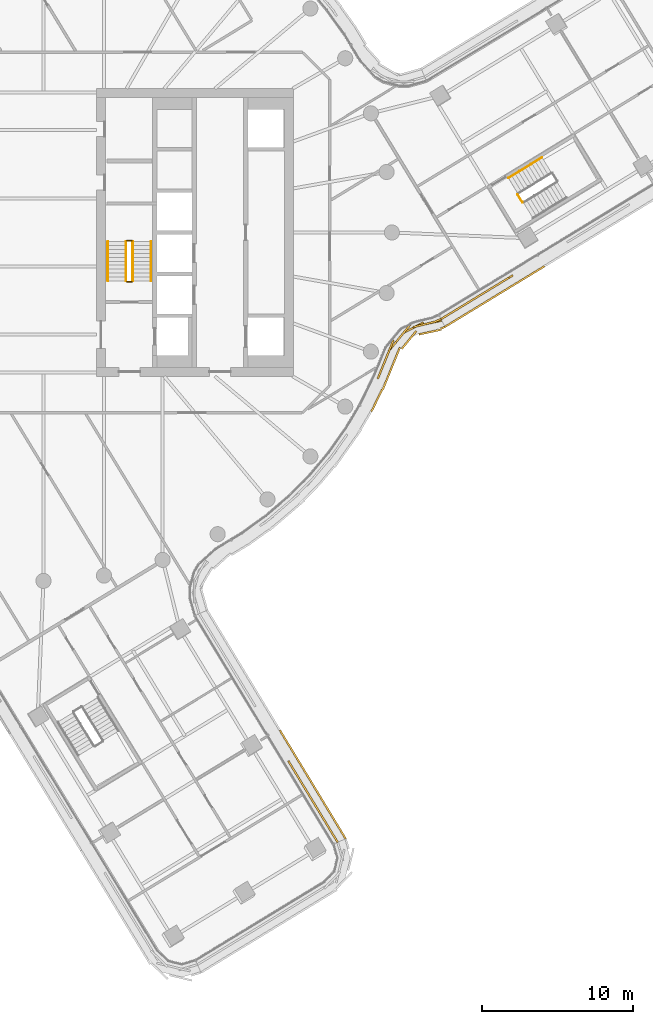
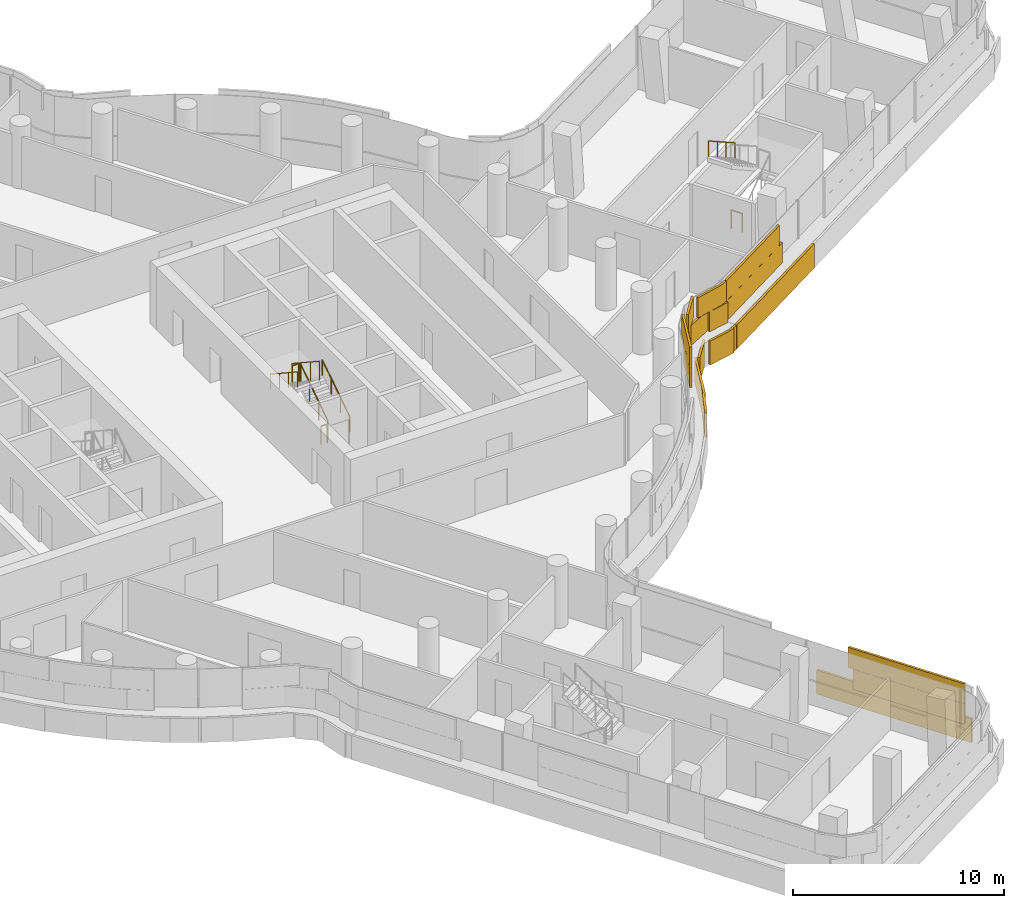
# One storey, part 31 of 35: 8 railings, 3 coverings.
"""IFC4 building model written with IfcOpenShell, lengths in metres."""

from ifc_helpers import new_model, si_unit, direction, frame, origin, origin_2d, place, context, subcontext, project, spatial, rectangle, circle, extrude, material, layer, layer_set, type_object, element, save


model = new_model("IFC4")

# Units and contexts
model_context = context("Model", 3, precision=1e-05, world=origin(), true_north=direction((0.0, 1.0)))
body_context = subcontext(model_context, "Body", "Model", "MODEL_VIEW")
ifc_project = project(units=[si_unit("LENGTHUNIT", "METRE"), si_unit("AREAUNIT", "SQUARE_METRE"), si_unit("VOLUMEUNIT", "CUBIC_METRE"), si_unit("PLANEANGLEUNIT", "RADIAN"), si_unit("MASSUNIT", "GRAM", prefix="KILO")], contexts=[model_context])

# Site, building, storey
site_placement = place(None, origin())
site = spatial("IfcSite", under=ifc_project, at=site_placement, CompositionType="ELEMENT")
building_placement = place(site_placement, origin())
building = spatial("IfcBuilding", under=site, at=building_placement, Name="Tamarind Cross Interchange Tower", CompositionType="ELEMENT")
storey_placement = place(building_placement, frame((0.0, 0.0, 148.0)))
storey = spatial("IfcBuildingStorey", under=building, at=storey_placement, Name="L36", CompositionType="ELEMENT", Elevation=148.0)

# Railings
ifc_material_1 = material(Name="Stair guard")
railing_type_1 = type_object("IfcRailingType", Name="Stair guard", PredefinedType="GUARDRAIL", material=ifc_material_1)
railing_1_placement = place(storey_placement, frame((5.89990234375, -3.199951171875, 0.17041015625)))
element("IfcRailing", 1, at=railing_1_placement, inside=storey, type_object=railing_type_1, Name="L36 ST2 stair guard 1", PredefinedType="GUARDRAIL", context=body_context, shape_type="SweptSolid", body=[
    extrude(circle(Radius=0.02392578125, at=origin_2d()), frame((0.0, 0.0, 1.076171875), z_axis=(0.0, 0.836278606002, 0.548304744775), x_axis=(-1.0, 0.0, 0.0)), (0.0, 0.0, 1.0), 3.10888671875),
    extrude(circle(Radius=0.02099609375, at=origin_2d()), origin(), (0.0, 0.0, 1.0), 1.052001953125),
    extrude(circle(Radius=0.02099609375, at=origin_2d()), frame((0.0, 0.86669921875, 0.568115234375)), (0.0, 0.0, 1.0), 1.052001953125),
    extrude(circle(Radius=0.02099609375, at=origin_2d()), frame((0.0, 1.733154296875, 1.136474609375)), (0.0, 0.0, 1.0), 1.052001953125),
    extrude(circle(Radius=0.02099609375, at=origin_2d()), frame((0.0, 2.599853515625, 1.70458984375)), (0.0, 0.0, 1.0), 1.052001953125),
])
railing_2_placement = place(storey_placement, frame((5.85009765625, -0.550048828125, 1.875)))
element("IfcRailing", 2, at=railing_2_placement, inside=storey, type_object=railing_type_1, Name="L36 ST2 stair guard 2", PredefinedType="GUARDRAIL", context=body_context, shape_type="SweptSolid", body=[
    extrude(circle(Radius=0.02392578125, at=origin_2d()), frame((0.0, 0.0, 1.076171875), z_axis=(-1.0, 0.0, 0.0), x_axis=(0.0, -1.0, 0.0)), (0.0, 0.0, 1.0), 0.35009765625),
    extrude(circle(Radius=0.02099609375, at=origin_2d()), origin(), (0.0, 0.0, 1.0), 1.052001953125),
    extrude(circle(Radius=0.02099609375, at=origin_2d()), frame((-0.35009765625, 0.0, 0.0)), (0.0, 0.0, 1.0), 1.052001953125),
])
railing_3_placement = place(storey_placement, frame((5.449951171875, -0.60009765625, 2.04541015625)))
element("IfcRailing", 3, at=railing_3_placement, inside=storey, type_object=railing_type_1, Name="L36 ST2 stair guard 3", PredefinedType="GUARDRAIL", context=body_context, shape_type="SweptSolid", body=[
    extrude(circle(Radius=0.02392578125, at=origin_2d()), frame((0.0, 0.0, 1.076171875), z_axis=(0.0, -0.836278606002, 0.548304744775), x_axis=(1.0, 0.0, 0.0)), (0.0, 0.0, 1.0), 3.10888671875),
    extrude(circle(Radius=0.02099609375, at=origin_2d()), origin(), (0.0, 0.0, 1.0), 1.052001953125),
    extrude(circle(Radius=0.02099609375, at=origin_2d()), frame((0.0, -0.86669921875, 0.568115234375)), (0.0, 0.0, 1.0), 1.052001953125),
    extrude(circle(Radius=0.02099609375, at=origin_2d()), frame((0.0, -1.733154296875, 1.136474609375)), (0.0, 0.0, 1.0), 1.052001953125),
    extrude(circle(Radius=0.02099609375, at=origin_2d()), frame((0.0, -2.599853515625, 1.70458984375)), (0.0, 0.0, 1.0), 1.052001953125),
])
railing_4_placement = place(storey_placement, frame((5.85009765625, -3.25, 0.0)))
element("IfcRailing", 4, at=railing_4_placement, inside=storey, type_object=railing_type_1, Name="L36 ST2 stair guard 4", PredefinedType="GUARDRAIL", context=body_context, shape_type="SweptSolid", body=[
    extrude(circle(Radius=0.02392578125, at=origin_2d()), frame((0.0, 0.0, 1.076171875), z_axis=(-1.0, 0.0, 0.0), x_axis=(0.0, -1.0, 0.0)), (0.0, 0.0, 1.0), 0.35009765625),
    extrude(circle(Radius=0.02099609375, at=origin_2d()), origin(), (0.0, 0.0, 1.0), 1.052001953125),
    extrude(circle(Radius=0.02099609375, at=origin_2d()), frame((-0.35009765625, 0.0, 0.0)), (0.0, 0.0, 1.0), 1.052001953125),
])
railing_5_placement = place(storey_placement, frame((31.61669921875, 1.9931640625, 0.0)))
element("IfcRailing", 5, at=railing_5_placement, inside=storey, type_object=railing_type_1, Name="L36 ST3 stair guard 4", PredefinedType="GUARDRAIL", context=body_context, shape_type="SweptSolid", body=[
    extrude(circle(Radius=0.02392578125, at=origin_2d()), frame((0.0, 0.0, 1.076171875), z_axis=(-0.520346994905, 0.853954919708, 0.0), x_axis=(-0.853954919708, -0.520346994905, 0.0)), (0.0, 0.0, 1.0), 0.60009765625),
    extrude(circle(Radius=0.02099609375, at=origin_2d()), origin(), (0.0, 0.0, 1.0), 1.052001953125),
    extrude(circle(Radius=0.02099609375, at=origin_2d()), frame((-0.312255859375, 0.512451171875, 0.0)), (0.0, 0.0, 1.0), 1.052001953125),
])
ifc_material_2 = material(Name="Stair handrail")
railing_type_2 = type_object("IfcRailingType", Name="Stair handrail", PredefinedType="HANDRAIL", material=ifc_material_2)
railing_6_placement = place(storey_placement, frame((7.10009765625, -3.199951171875, 0.17041015625)))
element("IfcRailing", 6, at=railing_6_placement, inside=storey, type_object=railing_type_2, Name="L36 ST2 stair handrail 1", PredefinedType="HANDRAIL", context=body_context, shape_type="SweptSolid", body=[
    extrude(circle(Radius=0.02392578125, at=origin_2d()), frame((0.0, 0.0, 0.8759765625), z_axis=(0.0, 0.836278606002, 0.548304744775), x_axis=(-1.0, 0.0, 0.0)), (0.0, 0.0, 1.0), 3.10888671875),
    extrude(circle(Radius=0.02099609375, at=origin_2d()), origin(), (0.0, 0.0, 1.0), 0.851806640625),
    extrude(circle(Radius=0.02099609375, at=origin_2d()), frame((0.0, 0.86669921875, 0.568115234375)), (0.0, 0.0, 1.0), 0.851806640625),
    extrude(circle(Radius=0.02099609375, at=origin_2d()), frame((0.0, 1.733154296875, 1.136474609375)), (0.0, 0.0, 1.0), 0.851806640625),
    extrude(circle(Radius=0.02099609375, at=origin_2d()), frame((0.0, 2.599853515625, 1.70458984375)), (0.0, 0.0, 1.0), 0.851806640625),
])
railing_7_placement = place(storey_placement, frame((4.25, -0.60009765625, 2.04541015625)))
element("IfcRailing", 7, at=railing_7_placement, inside=storey, type_object=railing_type_2, Name="L36 ST2 stair handrail 2", PredefinedType="HANDRAIL", context=body_context, shape_type="SweptSolid", body=[
    extrude(circle(Radius=0.02392578125, at=origin_2d()), frame((0.0, 0.0, 0.8759765625), z_axis=(0.0, -0.836278606002, 0.548304744775), x_axis=(1.0, 0.0, 0.0)), (0.0, 0.0, 1.0), 3.10888671875),
    extrude(circle(Radius=0.02099609375, at=origin_2d()), origin(), (0.0, 0.0, 1.0), 0.851806640625),
    extrude(circle(Radius=0.02099609375, at=origin_2d()), frame((0.0, -0.86669921875, 0.568115234375)), (0.0, 0.0, 1.0), 0.851806640625),
    extrude(circle(Radius=0.02099609375, at=origin_2d()), frame((0.0, -1.733154296875, 1.136474609375)), (0.0, 0.0, 1.0), 0.851806640625),
    extrude(circle(Radius=0.02099609375, at=origin_2d()), frame((0.0, -2.599853515625, 1.70458984375)), (0.0, 0.0, 1.0), 0.851806640625),
])
railing_8_placement = place(storey_placement, frame((32.91748046875, 4.95166015625, 2.04541015625)))
element("IfcRailing", 8, at=railing_8_placement, inside=storey, type_object=railing_type_2, Name="L36 ST3 stair handrail 2", PredefinedType="HANDRAIL", context=body_context, shape_type="SweptSolid", body=[
    extrude(circle(Radius=0.02392578125, at=origin_2d()), frame((0.0, 0.0, 0.8759765625), z_axis=(-0.714220387385, -0.435050131513, 0.548288811954), x_axis=(0.520215026627, -0.854035318984, 0.0)), (0.0, 0.0, 1.0), 3.10888671875),
    extrude(circle(Radius=0.02099609375, at=origin_2d()), origin(), (0.0, 0.0, 1.0), 0.851806640625),
    extrude(circle(Radius=0.02099609375, at=origin_2d()), frame((-0.740234375, -0.450927734375, 0.568115234375)), (0.0, 0.0, 1.0), 0.851806640625),
    extrude(circle(Radius=0.02099609375, at=origin_2d()), frame((-1.480224609375, -0.901611328125, 1.136474609375)), (0.0, 0.0, 1.0), 0.851806640625),
    extrude(circle(Radius=0.02099609375, at=origin_2d()), frame((-2.220458984375, -1.3525390625, 1.70458984375)), (0.0, 0.0, 1.0), 0.851806640625),
])

# Coverings
ifc_material_3 = material(Name="Terracotta", Category="masonry")
ifc_layer = layer(ifc_material_3, 0.1201171875)
ifc_layer_set = layer_set([ifc_layer], Name="Terracotta")
covering_type = type_object("IfcCoveringType", Name="Terracotta baguette screen unit", PredefinedType="MOLDING", material=ifc_layer_set)
covering_1_placement = place(storey_placement, origin())
element("IfcCovering", 9, at=covering_1_placement, inside=storey, type_object=covering_type, Name="SCR-L36-05-00", PredefinedType="MOLDING", context=body_context, shape_type="SweptSolid", body=[
    extrude(rectangle(XDim=1.510009765625, YDim=0.1201171875, at=origin_2d()), frame((19.033203125, -39.616943359375, 1.404052734375), z_axis=(0.0, 0.0, 1.0), x_axis=(-0.518424670848, 0.855123301434, 0.0)), (0.0, 0.0, 1.0), 1.1669921875),
    extrude(rectangle(XDim=1.52001953125, YDim=0.1201171875, at=origin_2d()), frame((18.255615234375, -38.334228515625, 1.404052734375), z_axis=(0.0, 0.0, 1.0), x_axis=(-0.518424670848, 0.855123301434, 0.0)), (0.0, 0.0, 1.0), 1.1669921875),
    extrude(rectangle(XDim=1.52001953125, YDim=0.1201171875, at=origin_2d()), frame((17.477783203125, -37.051513671875, 1.404052734375), z_axis=(0.0, 0.0, 1.0), x_axis=(-0.518424670848, 0.855123301434, 0.0)), (0.0, 0.0, 1.0), 1.1669921875),
    extrude(rectangle(XDim=1.52001953125, YDim=0.1201171875, at=origin_2d()), frame((16.7001953125, -35.76904296875, 1.404052734375), z_axis=(0.0, 0.0, 1.0), x_axis=(-0.518424670848, 0.855123301434, 0.0)), (0.0, 0.0, 1.0), 1.1669921875),
    extrude(rectangle(XDim=0.760009765625, YDim=0.1201171875, at=origin_2d()), frame((19.2275390625, -39.937744140625, 2.5791015625), z_axis=(0.0, 0.0, 1.0), x_axis=(-0.518424670848, 0.855123301434, 0.0)), (0.0, 0.0, 1.0), 1.1669921875),
    extrude(rectangle(XDim=1.52001953125, YDim=0.1201171875, at=origin_2d()), frame((18.644287109375, -38.9755859375, 2.5791015625), z_axis=(0.0, 0.0, 1.0), x_axis=(-0.518424670848, 0.855123301434, 0.0)), (0.0, 0.0, 1.0), 1.1669921875),
    extrude(rectangle(XDim=1.52001953125, YDim=0.1201171875, at=origin_2d()), frame((17.86669921875, -37.69287109375, 2.5791015625), z_axis=(0.0, 0.0, 1.0), x_axis=(-0.518424670848, 0.855123301434, 0.0)), (0.0, 0.0, 1.0), 1.1669921875),
    extrude(rectangle(XDim=1.52001953125, YDim=0.1201171875, at=origin_2d()), frame((17.089111328125, -36.410400390625, 2.5791015625), z_axis=(0.0, 0.0, 1.0), x_axis=(-0.518424670848, 0.855123301434, 0.0)), (0.0, 0.0, 1.0), 1.1669921875),
    extrude(rectangle(XDim=1.04443359375, YDim=0.1201171875, at=origin_2d()), frame((16.43212890625, -35.32666015625, 2.5791015625), z_axis=(0.0, 0.0, 1.0), x_axis=(-0.518424670848, 0.855123301434, 0.0)), (0.0, 0.0, 1.0), 1.1669921875),
    extrude(rectangle(XDim=1.510009765625, YDim=0.1201171875, at=origin_2d()), frame((19.560302734375, -39.379150390625, 0.00390625), z_axis=(0.0, 0.0, 1.0), x_axis=(-0.518424670848, 0.855123301434, 0.0)), (0.0, 0.0, 1.0), 1.39208984375),
    extrude(rectangle(XDim=1.52001953125, YDim=0.1201171875, at=origin_2d()), frame((18.78515625, -38.100830078125, 0.00390625), z_axis=(0.0, 0.0, 1.0), x_axis=(-0.518424670848, 0.855123301434, 0.0)), (0.0, 0.0, 1.0), 1.39208984375),
    extrude(rectangle(XDim=1.52001953125, YDim=0.1201171875, at=origin_2d()), frame((18.007568359375, -36.818115234375, 0.00390625), z_axis=(0.0, 0.0, 1.0), x_axis=(-0.518424670848, 0.855123301434, 0.0)), (0.0, 0.0, 1.0), 1.39208984375),
    extrude(rectangle(XDim=1.52001953125, YDim=0.1201171875, at=origin_2d()), frame((17.22998046875, -35.535400390625, 0.00390625), z_axis=(0.0, 0.0, 1.0), x_axis=(-0.518424670848, 0.855123301434, 0.0)), (0.0, 0.0, 1.0), 1.39208984375),
    extrude(rectangle(XDim=1.52001953125, YDim=0.1201171875, at=origin_2d()), frame((16.452392578125, -34.252685546875, 0.00390625), z_axis=(0.0, 0.0, 1.0), x_axis=(-0.518424670848, 0.855123301434, 0.0)), (0.0, 0.0, 1.0), 1.39208984375),
    extrude(rectangle(XDim=0.893310546875, YDim=0.1201171875, at=origin_2d()), frame((15.837158203125, -33.238037109375, 0.00390625), z_axis=(0.0, 0.0, 1.0), x_axis=(-0.518424670848, 0.855123301434, 0.0)), (0.0, 0.0, 1.0), 1.39208984375),
])
covering_2_placement = place(storey_placement, origin())
element("IfcCovering", 10, at=covering_2_placement, inside=storey, type_object=covering_type, Name="SCR-L36-06-01", PredefinedType="MOLDING", context=body_context, shape_type="SweptSolid", body=[
    extrude(rectangle(XDim=0.5107421875, YDim=0.1201171875, at=origin_2d()), frame((22.159423828125, -9.43115234375, 1.404052734375), z_axis=(0.0, 0.0, 1.0), x_axis=(0.377015527214, 0.92620693813, 0.0)), (0.0, 0.0, 1.0), 1.1669921875),
    extrude(rectangle(XDim=1.52001953125, YDim=0.1201171875, at=origin_2d()), frame((22.53662109375, -8.50439453125, 1.404052734375), z_axis=(0.0, 0.0, 1.0), x_axis=(0.377015527214, 0.92620693813, 0.0)), (0.0, 0.0, 1.0), 1.1669921875),
    extrude(rectangle(XDim=1.52001953125, YDim=0.1201171875, at=origin_2d()), frame((23.28515625, -7.2236328125, 1.404052734375), z_axis=(0.0, 0.0, 1.0), x_axis=(0.632316378763, 0.774710266582, 0.0)), (0.0, 0.0, 1.0), 1.1669921875),
    extrude(rectangle(XDim=1.52001953125, YDim=0.1201171875, at=origin_2d()), frame((24.418701171875, -6.289306640625, 1.404052734375), z_axis=(0.0, 0.0, 1.0), x_axis=(0.886897131511, 0.461966966478, 0.0)), (0.0, 0.0, 1.0), 1.1669921875),
    extrude(rectangle(XDim=1.18408203125, YDim=0.1201171875, at=origin_2d()), frame((25.705078125, -5.943603515625, 1.404052734375), z_axis=(0.0, 0.0, 1.0), x_axis=(0.977442190962, 0.211203132854, 0.0)), (0.0, 0.0, 1.0), 1.1669921875),
    extrude(rectangle(XDim=1.2607421875, YDim=0.1201171875, at=origin_2d()), frame((22.30078125, -9.083740234375, 2.5791015625), z_axis=(0.0, 0.0, 1.0), x_axis=(0.377015527214, 0.92620693813, 0.0)), (0.0, 0.0, 1.0), 1.1669921875),
    extrude(rectangle(XDim=1.52001953125, YDim=0.1201171875, at=origin_2d()), frame((22.8193359375, -7.809814453125, 2.5791015625), z_axis=(0.0, 0.0, 1.0), x_axis=(0.377015527214, 0.92620693813, 0.0)), (0.0, 0.0, 1.0), 1.1669921875),
    extrude(rectangle(XDim=1.52001953125, YDim=0.1201171875, at=origin_2d()), frame((23.75927734375, -6.642822265625, 2.5791015625), z_axis=(0.0, 0.0, 1.0), x_axis=(0.632316378763, 0.774710266582, 0.0)), (0.0, 0.0, 1.0), 1.1669921875),
    extrude(rectangle(XDim=1.52001953125, YDim=0.1201171875, at=origin_2d()), frame((25.131591796875, -6.069091796875, 2.5791015625), z_axis=(0.0, 0.0, 1.0), x_axis=(0.971172831543, 0.238376448652, 0.0)), (0.0, 0.0, 1.0), 1.1669921875),
    extrude(rectangle(XDim=0.43408203125, YDim=0.1201171875, at=origin_2d()), frame((26.05126953125, -5.8017578125, 2.5791015625), z_axis=(0.0, 0.0, 1.0), x_axis=(0.914649497546, 0.404247815874, 0.0)), (0.0, 0.0, 1.0), 1.1669921875),
    extrude(rectangle(XDim=0.138427734375, YDim=0.1201171875, at=origin_2d()), frame((21.67041015625, -11.75927734375, 0.00390625), z_axis=(0.0, 0.0, 1.0), x_axis=(0.508183308752, 0.861248933065, 0.0)), (0.0, 0.0, 1.0), 1.39208984375),
    extrude(rectangle(XDim=1.52001953125, YDim=0.1201171875, at=origin_2d()), frame((22.032470703125, -11.035888671875, 0.00390625), z_axis=(0.0, 0.0, 1.0), x_axis=(0.435326231914, 0.900272776334, 0.0)), (0.0, 0.0, 1.0), 1.39208984375),
    extrude(rectangle(XDim=1.52001953125, YDim=0.1201171875, at=origin_2d()), frame((22.677001953125, -9.681884765625, 0.00390625), z_axis=(0.0, 0.0, 1.0), x_axis=(0.377015527214, 0.92620693813, 0.0)), (0.0, 0.0, 1.0), 1.39208984375),
    extrude(rectangle(XDim=1.52001953125, YDim=0.1201171875, at=origin_2d()), frame((23.24267578125, -8.29248046875, 0.00390625), z_axis=(0.0, 0.0, 1.0), x_axis=(0.377015527214, 0.92620693813, 0.0)), (0.0, 0.0, 1.0), 1.39208984375),
    extrude(rectangle(XDim=1.52001953125, YDim=0.1201171875, at=origin_2d()), frame((24.131103515625, -7.094970703125, 0.00390625), z_axis=(0.0, 0.0, 1.0), x_axis=(0.632316378763, 0.774710266582, 0.0)), (0.0, 0.0, 1.0), 1.39208984375),
    extrude(rectangle(XDim=1.52001953125, YDim=0.1201171875, at=origin_2d()), frame((25.521484375, -6.570556640625, 0.00390625), z_axis=(0.0, 0.0, 1.0), x_axis=(0.977442190962, 0.211203132854, 0.0)), (0.0, 0.0, 1.0), 1.39208984375),
    extrude(rectangle(XDim=0.313720703125, YDim=0.1201171875, at=origin_2d()), frame((26.3681640625, -6.2890625, 0.00390625), z_axis=(0.0, 0.0, 1.0), x_axis=(0.914649497546, 0.404247815874, 0.0)), (0.0, 0.0, 1.0), 1.39208984375),
])
covering_3_placement = place(storey_placement, origin())
element("IfcCovering", 11, at=covering_3_placement, inside=storey, type_object=covering_type, Name="SCR-L36-07-00", PredefinedType="MOLDING", context=body_context, shape_type="SweptSolid", body=[
    extrude(rectangle(XDim=1.510009765625, YDim=0.1201171875, at=origin_2d()), frame((26.8857421875, -5.325927734375, 1.404052734375), z_axis=(0.0, 0.0, 1.0), x_axis=(0.854059616181, 0.520175135901, 0.0)), (0.0, 0.0, 1.0), 1.1669921875),
    extrude(rectangle(XDim=1.52001953125, YDim=0.1201171875, at=origin_2d()), frame((28.166748046875, -4.545654296875, 1.404052734375), z_axis=(0.0, 0.0, 1.0), x_axis=(0.854059616181, 0.520175135901, 0.0)), (0.0, 0.0, 1.0), 1.1669921875),
    extrude(rectangle(XDim=1.52001953125, YDim=0.1201171875, at=origin_2d()), frame((29.447998046875, -3.765380859375, 1.404052734375), z_axis=(0.0, 0.0, 1.0), x_axis=(0.854059616181, 0.520175135901, 0.0)), (0.0, 0.0, 1.0), 1.1669921875),
    extrude(rectangle(XDim=1.05712890625, YDim=0.1201171875, at=origin_2d()), frame((30.53564453125, -3.102783203125, 1.404052734375), z_axis=(0.0, 0.0, 1.0), x_axis=(0.854059616181, 0.520175135901, 0.0)), (0.0, 0.0, 1.0), 1.1669921875),
    extrude(rectangle(XDim=0.760009765625, YDim=0.1201171875, at=origin_2d()), frame((26.5654296875, -5.520751953125, 2.5791015625), z_axis=(0.0, 0.0, 1.0), x_axis=(0.854059616181, 0.520175135901, 0.0)), (0.0, 0.0, 1.0), 1.1669921875),
    extrude(rectangle(XDim=1.52001953125, YDim=0.1201171875, at=origin_2d()), frame((27.5263671875, -4.935791015625, 2.5791015625), z_axis=(0.0, 0.0, 1.0), x_axis=(0.854059616181, 0.520175135901, 0.0)), (0.0, 0.0, 1.0), 1.1669921875),
    extrude(rectangle(XDim=1.52001953125, YDim=0.1201171875, at=origin_2d()), frame((28.807373046875, -4.155517578125, 2.5791015625), z_axis=(0.0, 0.0, 1.0), x_axis=(0.854059616181, 0.520175135901, 0.0)), (0.0, 0.0, 1.0), 1.1669921875),
    extrude(rectangle(XDim=1.52001953125, YDim=0.1201171875, at=origin_2d()), frame((30.08837890625, -3.375244140625, 2.5791015625), z_axis=(0.0, 0.0, 1.0), x_axis=(0.854059616181, 0.520175135901, 0.0)), (0.0, 0.0, 1.0), 1.1669921875),
    extrude(rectangle(XDim=1.510009765625, YDim=0.1201171875, at=origin_2d()), frame((27.156494140625, -5.8330078125, 0.00390625), z_axis=(0.0, 0.0, 1.0), x_axis=(0.854059616181, 0.520175135901, 0.0)), (0.0, 0.0, 1.0), 1.39208984375),
    extrude(rectangle(XDim=1.52001953125, YDim=0.1201171875, at=origin_2d()), frame((28.433349609375, -5.055419921875, 0.00390625), z_axis=(0.0, 0.0, 1.0), x_axis=(0.854059616181, 0.520175135901, 0.0)), (0.0, 0.0, 1.0), 1.39208984375),
    extrude(rectangle(XDim=1.52001953125, YDim=0.1201171875, at=origin_2d()), frame((29.71435546875, -4.275146484375, 0.00390625), z_axis=(0.0, 0.0, 1.0), x_axis=(0.854059616181, 0.520175135901, 0.0)), (0.0, 0.0, 1.0), 1.39208984375),
    extrude(rectangle(XDim=1.52001953125, YDim=0.1201171875, at=origin_2d()), frame((30.995361328125, -3.494873046875, 0.00390625), z_axis=(0.0, 0.0, 1.0), x_axis=(0.854059616181, 0.520175135901, 0.0)), (0.0, 0.0, 1.0), 1.39208984375),
    extrude(rectangle(XDim=1.52001953125, YDim=0.1201171875, at=origin_2d()), frame((32.276611328125, -2.714599609375, 0.00390625), z_axis=(0.0, 0.0, 1.0), x_axis=(0.854059616181, 0.520175135901, 0.0)), (0.0, 0.0, 1.0), 1.39208984375),
    extrude(rectangle(XDim=0.191650390625, YDim=0.1201171875, at=origin_2d()), frame((32.990478515625, -2.27978515625, 0.00390625), z_axis=(0.0, 0.0, 1.0), x_axis=(0.854059616181, 0.520175135901, 0.0)), (0.0, 0.0, 1.0), 1.39208984375),
])

save(model, "model.ifc")
